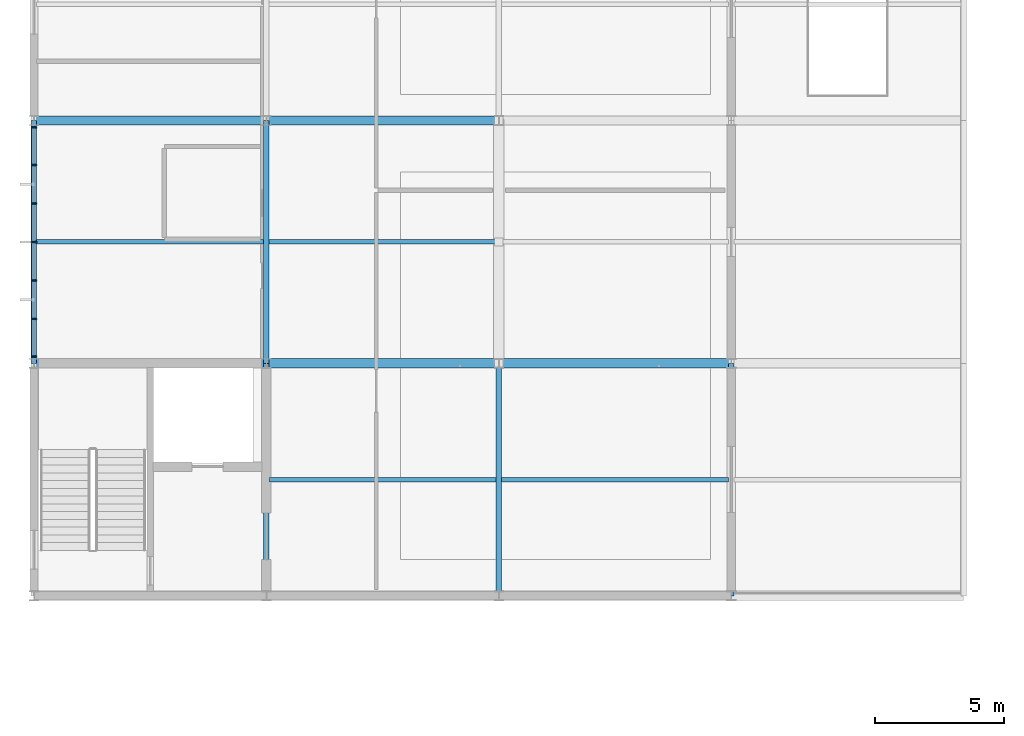
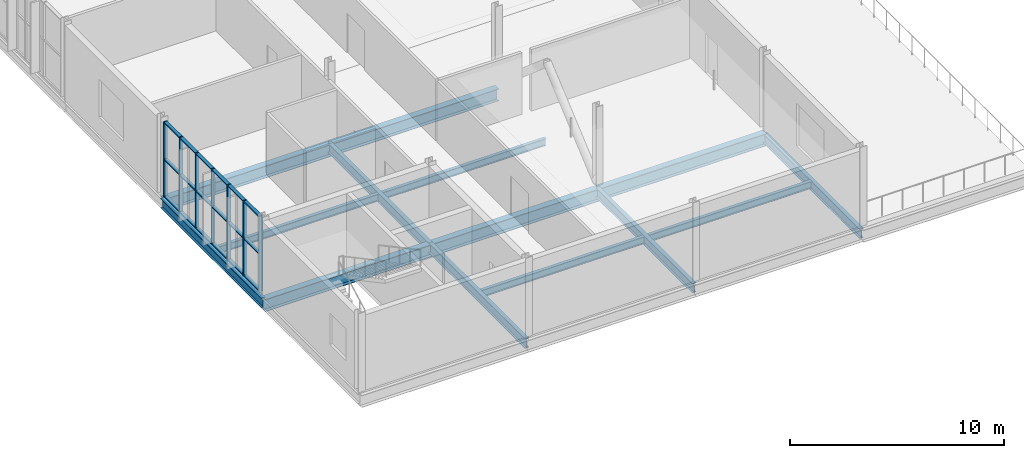
# One storey, part 2 of 53: 25 members, 14 beams, 1 element without a shape of its own.
"""IFC4 building model written with IfcOpenShell, lengths in metres."""

from ifc_helpers import new_model, si_unit, direction, frame, origin, origin_2d, place, context, subcontext, project, spatial, rectangle, i_section, extrude, material, layer, layer_set, material_profile, profile_set, type_object, element, aggregate, save


model = new_model("IFC4")

# Units and contexts
model_context = context("Model", 3, precision=1e-05, world=origin(), true_north=direction((0.0, 1.0)))
body_context = subcontext(model_context, "Body", "Model", "MODEL_VIEW")
ifc_project = project(units=[si_unit("LENGTHUNIT", "METRE"), si_unit("AREAUNIT", "SQUARE_METRE"), si_unit("VOLUMEUNIT", "CUBIC_METRE"), si_unit("PLANEANGLEUNIT", "RADIAN"), si_unit("MASSUNIT", "GRAM", prefix="KILO")], contexts=[model_context])

# Site, building, storey
site_placement = place(None, origin())
site = spatial("IfcSite", under=ifc_project, at=site_placement, CompositionType="ELEMENT")
building_placement = place(site_placement, origin())
building = spatial("IfcBuilding", under=site, at=building_placement, Name="Cazmaro Siding Exhibition Halls", CompositionType="ELEMENT")
storey_placement = place(building_placement, frame((0.0, 0.0, 21.0)))
storey = spatial("IfcBuildingStorey", under=building, at=storey_placement, Name="L04", CompositionType="ELEMENT", Elevation=21.0)

# Beams
ifc_material_1 = material(Name="Steel ASTM A992 Grade 50", Category="steel")
ifc_material_profile_1 = material_profile(ifc_material_1, i_section(OverallWidth=0.214111328125, OverallDepth=0.549072265625, WebThickness=0.014892578125, FlangeThickness=0.02392578125, at=origin_2d()), Name="W21X93")
ifc_profile_set_1 = profile_set([ifc_material_profile_1], Name="Steel ASTM A992 Grade 50")
beam_type_1 = type_object("IfcBeamType", Name="B-01", PredefinedType="BEAM", material=ifc_profile_set_1)
beam_1_placement = place(storey_placement, frame((0.0, 63.60009765625, -0.493896484375), z_axis=(0.0, 1.0, 0.0), x_axis=(-1.0, 0.0, 0.0)))
element("IfcBeam", 1, at=beam_1_placement, inside=storey, type_object=beam_type_1, Name="Beam B-01 BM-2329", PredefinedType="BEAM", context=body_context, shape_type="SweptSolid", body=[
    extrude(i_section(OverallWidth=0.214111328125, OverallDepth=0.549072265625, WebThickness=0.014892578125, FlangeThickness=0.02392578125, at=origin_2d()), origin(), (0.0, 0.0, 1.0), 9.39990234375),
])
beam_2_placement = place(storey_placement, frame((9.0, 54.60009765625, -0.493896484375), z_axis=(0.0, 1.0, 0.0), x_axis=(-1.0, 0.0, 0.0)))
element("IfcBeam", 2, at=beam_2_placement, inside=storey, type_object=beam_type_1, Name="Beam B-01 BM-2334", PredefinedType="BEAM", context=body_context, shape_type="SweptSolid", body=[
    extrude(i_section(OverallWidth=0.214111328125, OverallDepth=0.549072265625, WebThickness=0.014892578125, FlangeThickness=0.02392578125, at=origin_2d()), origin(), (0.0, 0.0, 1.0), 9.0),
])
beam_3_placement = place(storey_placement, frame((9.0, 63.60009765625, -0.493896484375), z_axis=(0.0, 1.0, 0.0), x_axis=(-1.0, 0.0, 0.0)))
element("IfcBeam", 3, at=beam_3_placement, inside=storey, type_object=beam_type_1, Name="Beam B-01 BM-2335", PredefinedType="BEAM", context=body_context, shape_type="SweptSolid", body=[
    extrude(i_section(OverallWidth=0.214111328125, OverallDepth=0.549072265625, WebThickness=0.014892578125, FlangeThickness=0.02392578125, at=origin_2d()), origin(), (0.0, 0.0, 1.0), 9.39990234375),
])
for number, where, z_axis, x_axis, name in (
    (4, (18.0, 54.60009765625, -0.493896484375), (0.0, 1.0, 0.0), (-1.0, 0.0, 0.0), "Beam B-01 BM-2340"),
    (5, (27.0, 54.60009765625, -0.5439453125), (0.0, 1.0, 0.0), (-1.0, 0.0, 0.0), "Beam B-01 BM-2346"),
):
    element("IfcBeam", number, at=place(storey_placement, frame(where, z_axis=z_axis, x_axis=x_axis)), inside=storey, type_object=beam_type_1, Name=name, PredefinedType="BEAM", context=body_context, shape_type="SweptSolid", body=[
        extrude(i_section(OverallWidth=0.214111328125, OverallDepth=0.549072265625, WebThickness=0.014892578125, FlangeThickness=0.02392578125, at=origin_2d()), origin(), (0.0, 0.0, 1.0), 9.0),
    ])

# Curtain wall, members
ifc_material_2 = material(Name="Anodized Bronze Aluminum and Solar-Control Low-E Glazing", Category="aluminium")
ifc_layer = layer(ifc_material_2, 0.199951171875)
ifc_layer_set = layer_set([ifc_layer], Name="Anodized Bronze Aluminum and Solar-Control Low-E Glazing")
curtain_wall_type = type_object("IfcCurtainWallType", Name="CWS-02", PredefinedType="USERDEFINED", material=ifc_layer_set)
curtain_wall_placement = place(storey_placement, origin())
curtain_wall = element("IfcCurtainWall", 6, at=curtain_wall_placement, inside=storey, type_object=curtain_wall_type, Name="Glazed Curtain Wall CWS-02 CW-256", ObjectType="GLAZED CURTAIN WALL", PredefinedType="USERDEFINED")
ifc_material_3 = material(Name="Anodized Bronze Extruded Aluminum", Category="aluminium")
ifc_material_profile_2 = material_profile(ifc_material_3, rectangle(XDim=0.199951171875, YDim=0.06494140625, at=origin_2d()), Name="CWM-02")
ifc_profile_set_2 = profile_set([ifc_material_profile_2], Name="Anodized Bronze Extruded Aluminum")
member_type_1 = type_object("IfcMemberType", Name="CWM-02", PredefinedType="MULLION", material=ifc_profile_set_2)
member_1_placement = place(storey_placement, frame((0.0, 72.736572265625, 0.0), z_axis=(0.0, 0.0, 1.0), x_axis=(1.0, 0.0, 0.0)))
member_1 = element("IfcMember", 7, at=member_1_placement, type_object=member_type_1, Name="CWS-02 mullion 1", PredefinedType="MULLION", context=body_context, shape_type="SweptSolid", body=[
    extrude(rectangle(XDim=0.199951171875, YDim=0.06494140625, at=origin_2d()), origin(), (0.0, 0.0, 1.0), 4.2900390625),
])
member_2_placement = place(storey_placement, frame((0.0, 71.279296875, 0.0), z_axis=(0.0, 0.0, 1.0), x_axis=(1.0, 0.0, 0.0)))
member_2 = element("IfcMember", 8, at=member_2_placement, type_object=member_type_1, Name="CWS-02 mullion 2", PredefinedType="MULLION", context=body_context, shape_type="SweptSolid", body=[
    extrude(rectangle(XDim=0.199951171875, YDim=0.06494140625, at=origin_2d()), origin(), (0.0, 0.0, 1.0), 4.2900390625),
])
member_3_placement = place(storey_placement, frame((0.0, 69.78955078125, 0.0), z_axis=(0.0, 0.0, 1.0), x_axis=(1.0, 0.0, 0.0)))
member_3 = element("IfcMember", 9, at=member_3_placement, type_object=member_type_1, Name="CWS-02 mullion 3", PredefinedType="MULLION", context=body_context, shape_type="SweptSolid", body=[
    extrude(rectangle(XDim=0.199951171875, YDim=0.06494140625, at=origin_2d()), origin(), (0.0, 0.0, 1.0), 4.2900390625),
])
member_4_placement = place(storey_placement, frame((0.0, 68.300048828125, 0.0), z_axis=(0.0, 0.0, 1.0), x_axis=(1.0, 0.0, 0.0)))
member_4 = element("IfcMember", 10, at=member_4_placement, type_object=member_type_1, Name="CWS-02 mullion 4", PredefinedType="MULLION", context=body_context, shape_type="SweptSolid", body=[
    extrude(rectangle(XDim=0.199951171875, YDim=0.06494140625, at=origin_2d()), origin(), (0.0, 0.0, 1.0), 4.2900390625),
])
member_5_placement = place(storey_placement, frame((0.0, 66.810302734375, 0.0), z_axis=(0.0, 0.0, 1.0), x_axis=(1.0, 0.0, 0.0)))
member_5 = element("IfcMember", 11, at=member_5_placement, type_object=member_type_1, Name="CWS-02 mullion 5", PredefinedType="MULLION", context=body_context, shape_type="SweptSolid", body=[
    extrude(rectangle(XDim=0.199951171875, YDim=0.06494140625, at=origin_2d()), origin(), (0.0, 0.0, 1.0), 4.2900390625),
])
member_6_placement = place(storey_placement, frame((0.0, 65.320556640625, 0.0), z_axis=(0.0, 0.0, 1.0), x_axis=(1.0, 0.0, 0.0)))
member_6 = element("IfcMember", 12, at=member_6_placement, type_object=member_type_1, Name="CWS-02 mullion 6", PredefinedType="MULLION", context=body_context, shape_type="SweptSolid", body=[
    extrude(rectangle(XDim=0.199951171875, YDim=0.06494140625, at=origin_2d()), origin(), (0.0, 0.0, 1.0), 4.2900390625),
])
member_7_placement = place(storey_placement, frame((0.0, 63.863525390625, 0.0), z_axis=(0.0, 0.0, 1.0), x_axis=(1.0, 0.0, 0.0)))
member_7 = element("IfcMember", 13, at=member_7_placement, type_object=member_type_1, Name="CWS-02 mullion 7", PredefinedType="MULLION", context=body_context, shape_type="SweptSolid", body=[
    extrude(rectangle(XDim=0.199951171875, YDim=0.06494140625, at=origin_2d()), origin(), (0.0, 0.0, 1.0), 4.2900390625),
])
ifc_material_4 = material(Name="Anodized Bronze Extruded Aluminum", Category="aluminium")
ifc_material_profile_3 = material_profile(ifc_material_4, rectangle(XDim=0.179931640625, YDim=0.06494140625, at=origin_2d()), Name="CWT-02")
ifc_profile_set_3 = profile_set([ifc_material_profile_3], Name="Anodized Bronze Extruded Aluminum")
member_type_2 = type_object("IfcMemberType", Name="CWT-02", PredefinedType="MULLION", material=ifc_profile_set_3)
member_8_placement = place(storey_placement, frame((0.0, 72.7041015625, 0.032470703125), z_axis=(0.0, -1.0, 0.0), x_axis=(1.0, 0.0, 0.0)))
member_8 = element("IfcMember", 14, at=member_8_placement, type_object=member_type_2, Name="CWS-02 transom 1.1", ObjectType="TRANSOM", PredefinedType="USERDEFINED", context=body_context, shape_type="SweptSolid", body=[
    extrude(rectangle(XDim=0.179931640625, YDim=0.06494140625, at=origin_2d()), origin(), (0.0, 0.0, 1.0), 1.392333984375),
])
member_9_placement = place(storey_placement, frame((0.0, 72.7041015625, 2.14501953125), z_axis=(0.0, -1.0, 0.0), x_axis=(1.0, 0.0, 0.0)))
member_9 = element("IfcMember", 15, at=member_9_placement, type_object=member_type_2, Name="CWS-02 transom 1.2", ObjectType="TRANSOM", PredefinedType="USERDEFINED", context=body_context, shape_type="SweptSolid", body=[
    extrude(rectangle(XDim=0.179931640625, YDim=0.06494140625, at=origin_2d()), origin(), (0.0, 0.0, 1.0), 1.392333984375),
])
member_10_placement = place(storey_placement, frame((0.0, 72.7041015625, 4.257568359375), z_axis=(0.0, -1.0, 0.0), x_axis=(1.0, 0.0, 0.0)))
member_10 = element("IfcMember", 16, at=member_10_placement, type_object=member_type_2, Name="CWS-02 transom 1.3", ObjectType="TRANSOM", PredefinedType="USERDEFINED", context=body_context, shape_type="SweptSolid", body=[
    extrude(rectangle(XDim=0.179931640625, YDim=0.06494140625, at=origin_2d()), origin(), (0.0, 0.0, 1.0), 1.392333984375),
])
member_11_placement = place(storey_placement, frame((0.0, 71.246826171875, 0.032470703125), z_axis=(0.0, -1.0, 0.0), x_axis=(1.0, 0.0, 0.0)))
member_11 = element("IfcMember", 17, at=member_11_placement, type_object=member_type_2, Name="CWS-02 transom 2.1", ObjectType="TRANSOM", PredefinedType="USERDEFINED", context=body_context, shape_type="SweptSolid", body=[
    extrude(rectangle(XDim=0.179931640625, YDim=0.06494140625, at=origin_2d()), origin(), (0.0, 0.0, 1.0), 1.424560546875),
])
member_12_placement = place(storey_placement, frame((0.0, 71.246826171875, 2.14501953125), z_axis=(0.0, -1.0, 0.0), x_axis=(1.0, 0.0, 0.0)))
member_12 = element("IfcMember", 18, at=member_12_placement, type_object=member_type_2, Name="CWS-02 transom 2.2", ObjectType="TRANSOM", PredefinedType="USERDEFINED", context=body_context, shape_type="SweptSolid", body=[
    extrude(rectangle(XDim=0.179931640625, YDim=0.06494140625, at=origin_2d()), origin(), (0.0, 0.0, 1.0), 1.424560546875),
])
member_13_placement = place(storey_placement, frame((0.0, 71.246826171875, 4.257568359375), z_axis=(0.0, -1.0, 0.0), x_axis=(1.0, 0.0, 0.0)))
member_13 = element("IfcMember", 19, at=member_13_placement, type_object=member_type_2, Name="CWS-02 transom 2.3", ObjectType="TRANSOM", PredefinedType="USERDEFINED", context=body_context, shape_type="SweptSolid", body=[
    extrude(rectangle(XDim=0.179931640625, YDim=0.06494140625, at=origin_2d()), origin(), (0.0, 0.0, 1.0), 1.424560546875),
])
member_14_placement = place(storey_placement, frame((0.0, 69.757080078125, 0.032470703125), z_axis=(0.0, -1.0, 0.0), x_axis=(1.0, 0.0, 0.0)))
member_14 = element("IfcMember", 20, at=member_14_placement, type_object=member_type_2, Name="CWS-02 transom 3.1", ObjectType="TRANSOM", PredefinedType="USERDEFINED", context=body_context, shape_type="SweptSolid", body=[
    extrude(rectangle(XDim=0.179931640625, YDim=0.06494140625, at=origin_2d()), origin(), (0.0, 0.0, 1.0), 1.424560546875),
])
member_15_placement = place(storey_placement, frame((0.0, 69.757080078125, 2.14501953125), z_axis=(0.0, -1.0, 0.0), x_axis=(1.0, 0.0, 0.0)))
member_15 = element("IfcMember", 21, at=member_15_placement, type_object=member_type_2, Name="CWS-02 transom 3.2", ObjectType="TRANSOM", PredefinedType="USERDEFINED", context=body_context, shape_type="SweptSolid", body=[
    extrude(rectangle(XDim=0.179931640625, YDim=0.06494140625, at=origin_2d()), origin(), (0.0, 0.0, 1.0), 1.424560546875),
])
member_16_placement = place(storey_placement, frame((0.0, 69.757080078125, 4.257568359375), z_axis=(0.0, -1.0, 0.0), x_axis=(1.0, 0.0, 0.0)))
member_16 = element("IfcMember", 22, at=member_16_placement, type_object=member_type_2, Name="CWS-02 transom 3.3", ObjectType="TRANSOM", PredefinedType="USERDEFINED", context=body_context, shape_type="SweptSolid", body=[
    extrude(rectangle(XDim=0.179931640625, YDim=0.06494140625, at=origin_2d()), origin(), (0.0, 0.0, 1.0), 1.424560546875),
])
member_17_placement = place(storey_placement, frame((0.0, 68.267578125, 0.032470703125), z_axis=(0.0, -1.0, 0.0), x_axis=(1.0, 0.0, 0.0)))
member_17 = element("IfcMember", 23, at=member_17_placement, type_object=member_type_2, Name="CWS-02 transom 4.1", ObjectType="TRANSOM", PredefinedType="USERDEFINED", context=body_context, shape_type="SweptSolid", body=[
    extrude(rectangle(XDim=0.179931640625, YDim=0.06494140625, at=origin_2d()), origin(), (0.0, 0.0, 1.0), 1.4248046875),
])
member_18_placement = place(storey_placement, frame((0.0, 68.267578125, 2.14501953125), z_axis=(0.0, -1.0, 0.0), x_axis=(1.0, 0.0, 0.0)))
member_18 = element("IfcMember", 24, at=member_18_placement, type_object=member_type_2, Name="CWS-02 transom 4.2", ObjectType="TRANSOM", PredefinedType="USERDEFINED", context=body_context, shape_type="SweptSolid", body=[
    extrude(rectangle(XDim=0.179931640625, YDim=0.06494140625, at=origin_2d()), origin(), (0.0, 0.0, 1.0), 1.4248046875),
])
member_19_placement = place(storey_placement, frame((0.0, 68.267578125, 4.257568359375), z_axis=(0.0, -1.0, 0.0), x_axis=(1.0, 0.0, 0.0)))
member_19 = element("IfcMember", 25, at=member_19_placement, type_object=member_type_2, Name="CWS-02 transom 4.3", ObjectType="TRANSOM", PredefinedType="USERDEFINED", context=body_context, shape_type="SweptSolid", body=[
    extrude(rectangle(XDim=0.179931640625, YDim=0.06494140625, at=origin_2d()), origin(), (0.0, 0.0, 1.0), 1.4248046875),
])
member_20_placement = place(storey_placement, frame((0.0, 66.77783203125, 0.032470703125), z_axis=(0.0, -1.0, 0.0), x_axis=(1.0, 0.0, 0.0)))
member_20 = element("IfcMember", 26, at=member_20_placement, type_object=member_type_2, Name="CWS-02 transom 5.1", ObjectType="TRANSOM", PredefinedType="USERDEFINED", context=body_context, shape_type="SweptSolid", body=[
    extrude(rectangle(XDim=0.179931640625, YDim=0.06494140625, at=origin_2d()), origin(), (0.0, 0.0, 1.0), 1.424560546875),
])
member_21_placement = place(storey_placement, frame((0.0, 66.77783203125, 2.14501953125), z_axis=(0.0, -1.0, 0.0), x_axis=(1.0, 0.0, 0.0)))
member_21 = element("IfcMember", 27, at=member_21_placement, type_object=member_type_2, Name="CWS-02 transom 5.2", ObjectType="TRANSOM", PredefinedType="USERDEFINED", context=body_context, shape_type="SweptSolid", body=[
    extrude(rectangle(XDim=0.179931640625, YDim=0.06494140625, at=origin_2d()), origin(), (0.0, 0.0, 1.0), 1.424560546875),
])
member_22_placement = place(storey_placement, frame((0.0, 66.77783203125, 4.257568359375), z_axis=(0.0, -1.0, 0.0), x_axis=(1.0, 0.0, 0.0)))
member_22 = element("IfcMember", 28, at=member_22_placement, type_object=member_type_2, Name="CWS-02 transom 5.3", ObjectType="TRANSOM", PredefinedType="USERDEFINED", context=body_context, shape_type="SweptSolid", body=[
    extrude(rectangle(XDim=0.179931640625, YDim=0.06494140625, at=origin_2d()), origin(), (0.0, 0.0, 1.0), 1.424560546875),
])
member_23_placement = place(storey_placement, frame((0.0, 65.2880859375, 0.032470703125), z_axis=(0.0, -1.0, 0.0), x_axis=(1.0, 0.0, 0.0)))
member_23 = element("IfcMember", 29, at=member_23_placement, type_object=member_type_2, Name="CWS-02 transom 6.1", ObjectType="TRANSOM", PredefinedType="USERDEFINED", context=body_context, shape_type="SweptSolid", body=[
    extrude(rectangle(XDim=0.179931640625, YDim=0.06494140625, at=origin_2d()), origin(), (0.0, 0.0, 1.0), 1.39208984375),
])
member_24_placement = place(storey_placement, frame((0.0, 65.2880859375, 2.14501953125), z_axis=(0.0, -1.0, 0.0), x_axis=(1.0, 0.0, 0.0)))
member_24 = element("IfcMember", 30, at=member_24_placement, type_object=member_type_2, Name="CWS-02 transom 6.2", ObjectType="TRANSOM", PredefinedType="USERDEFINED", context=body_context, shape_type="SweptSolid", body=[
    extrude(rectangle(XDim=0.179931640625, YDim=0.06494140625, at=origin_2d()), origin(), (0.0, 0.0, 1.0), 1.39208984375),
])
member_25_placement = place(storey_placement, frame((0.0, 65.2880859375, 4.257568359375), z_axis=(0.0, -1.0, 0.0), x_axis=(1.0, 0.0, 0.0)))
member_25 = element("IfcMember", 31, at=member_25_placement, type_object=member_type_2, Name="CWS-02 transom 6.3", ObjectType="TRANSOM", PredefinedType="USERDEFINED", context=body_context, shape_type="SweptSolid", body=[
    extrude(rectangle(XDim=0.179931640625, YDim=0.06494140625, at=origin_2d()), origin(), (0.0, 0.0, 1.0), 1.39208984375),
])
aggregate(curtain_wall, [member_1, member_2, member_3, member_4, member_5, member_6, member_7, member_8, member_9, member_10, member_11, member_12, member_13, member_14, member_15, member_16, member_17, member_18, member_19, member_20, member_21, member_22, member_23, member_24, member_25])

# Beams
ifc_material_5 = material(Name="Steel ASTM A992 Grade 50", Category="steel")
ifc_material_profile_4 = material_profile(ifc_material_5, i_section(OverallWidth=0.35595703125, OverallDepth=0.696044921875, WebThickness=0.014892578125, FlangeThickness=0.02490234375, at=origin_2d()), Name="W27X146")
ifc_profile_set_4 = profile_set([ifc_material_profile_4], Name="Steel ASTM A992 Grade 50")
beam_type_2 = type_object("IfcBeamType", Name="G-05", PredefinedType="USERDEFINED", material=ifc_profile_set_4)
for number, where, z_axis, x_axis, name in (
    (32, (0.0, 63.60009765625, -0.568115234375), (1.0, 0.0, 0.0), (0.0, 1.0, 0.0), "Beam G-05 BM-2279"),
    (33, (0.0, 73.0, -0.568115234375), (1.0, 0.0, 0.0), (0.0, 1.0, 0.0), "Beam G-05 BM-2280"),
    (34, (9.0, 63.60009765625, -0.568115234375), (1.0, 0.0, 0.0), (0.0, 1.0, 0.0), "Beam G-05 BM-2290"),
    (35, (9.0, 73.0, -0.568115234375), (1.0, 0.0, 0.0), (0.0, 1.0, 0.0), "Beam G-05 BM-2291"),
    (36, (18.0, 63.60009765625, -0.568115234375), (1.0, 0.0, 0.0), (0.0, 1.0, 0.0), "Beam G-05 BM-2303"),
):
    element("IfcBeam", number, at=place(storey_placement, frame(where, z_axis=z_axis, x_axis=x_axis)), inside=storey, type_object=beam_type_2, Name=name, ObjectType="GIRDER", PredefinedType="USERDEFINED", context=body_context, shape_type="SweptSolid", body=[
        extrude(i_section(OverallWidth=0.35595703125, OverallDepth=0.696044921875, WebThickness=0.014892578125, FlangeThickness=0.02490234375, at=origin_2d()), origin(), (0.0, 0.0, 1.0), 9.0),
    ])
ifc_material_6 = material(Name="Steel ASTM A992 Grade 50", Category="steel")
ifc_material_profile_5 = material_profile(ifc_material_6, i_section(OverallWidth=0.177978515625, OverallDepth=0.406005859375, WebThickness=0.008056640625, FlangeThickness=0.012939453125, at=origin_2d()), Name="W16X40")
ifc_profile_set_5 = profile_set([ifc_material_profile_5], Name="Steel ASTM A992 Grade 50")
beam_type_3 = type_object("IfcBeamType", Name="J-02", PredefinedType="JOIST", material=ifc_profile_set_5)
for number, where, z_axis, x_axis, name in (
    (37, (0.10693359375, 68.300048828125, -0.423095703125), (1.0, 0.0, 0.0), (0.0, 1.0, 0.0), "Beam J-02 BM-2285"),
    (38, (9.10693359375, 59.10009765625, -0.423095703125), (1.0, 0.0, 0.0), (0.0, 1.0, 0.0), "Beam J-02 BM-2296"),
    (39, (9.10693359375, 68.300048828125, -0.423095703125), (1.0, 0.0, 0.0), (0.0, 1.0, 0.0), "Beam J-02 BM-2297"),
    (40, (18.10693359375, 59.10009765625, -0.423095703125), (1.0, 0.0, 0.0), (0.0, 1.0, 0.0), "Beam J-02 BM-2309"),
):
    element("IfcBeam", number, at=place(storey_placement, frame(where, z_axis=z_axis, x_axis=x_axis)), inside=storey, type_object=beam_type_3, Name=name, PredefinedType="JOIST", context=body_context, shape_type="SweptSolid", body=[
        extrude(i_section(OverallWidth=0.177978515625, OverallDepth=0.406005859375, WebThickness=0.008056640625, FlangeThickness=0.012939453125, at=origin_2d()), origin(), (0.0, 0.0, 1.0), 8.7861328125),
    ])

save(model, "model.ifc")
